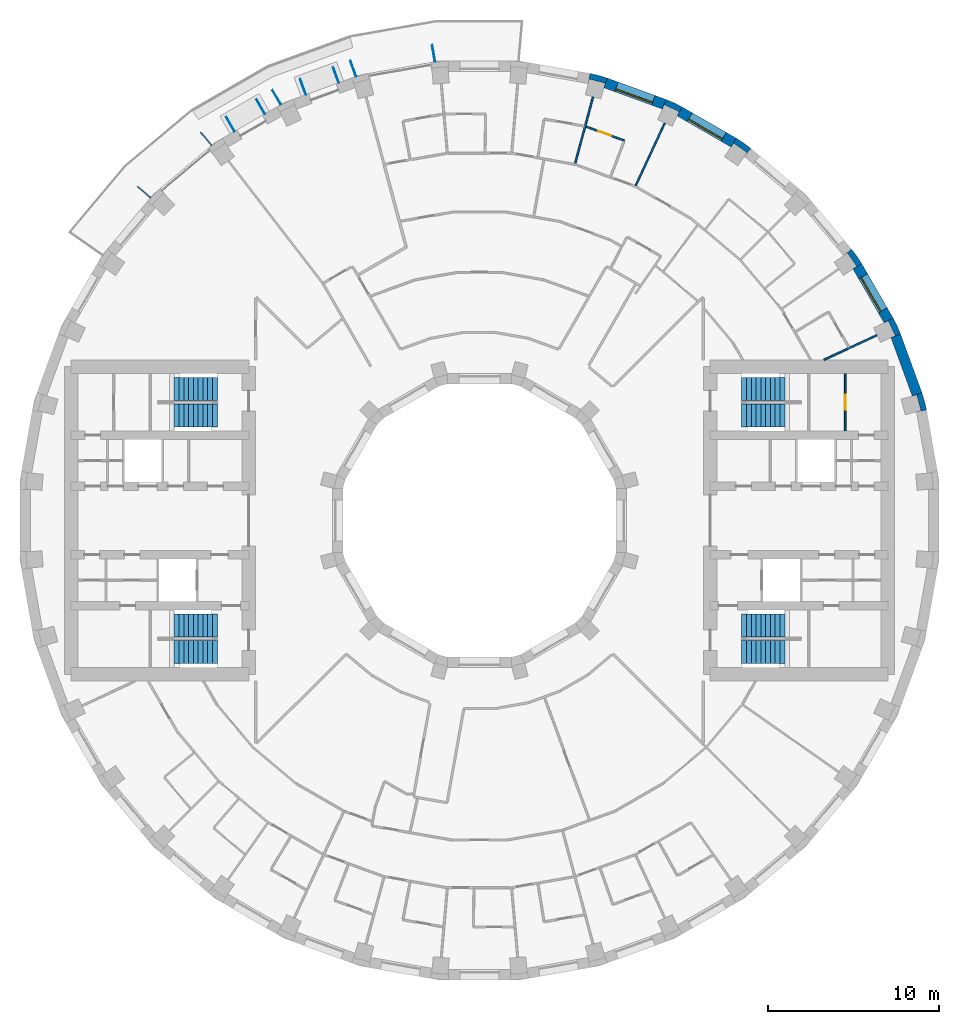
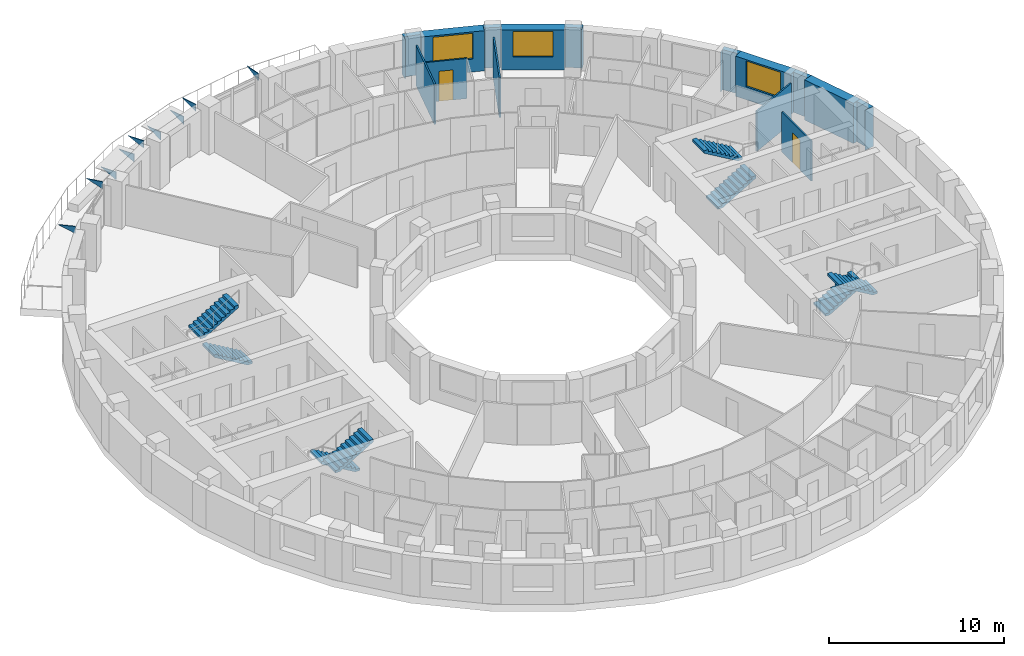
# One storey, part 13 of 14: 15 walls, 9 discrete accessories, 8 stair flights, 3 windows, 2 doors, 5 openings, 4 elements without a shape of their own.
"""IFC4 building model written with IfcOpenShell, lengths in metres."""

from ifc_helpers import new_model, si_unit, direction, frame, frame_2d, origin, place, context, subcontext, project, spatial, polyline, rectangle, outline, extrude, material, layer, layer_set, type_object, element, fill, aggregate, save


model = new_model("IFC4")

# Units and contexts
model_context = context("Model", 3, precision=1e-05, world=origin(), true_north=direction((0.0, 1.0)))
body_context = subcontext(model_context, "Body", "Model", "MODEL_VIEW")
ifc_project = project(units=[si_unit("LENGTHUNIT", "METRE"), si_unit("AREAUNIT", "SQUARE_METRE"), si_unit("VOLUMEUNIT", "CUBIC_METRE"), si_unit("PLANEANGLEUNIT", "RADIAN"), si_unit("MASSUNIT", "GRAM", prefix="KILO")], contexts=[model_context])

# Site, building, storey
site_placement = place(None, origin())
site = spatial("IfcSite", under=ifc_project, at=site_placement, CompositionType="ELEMENT")
building_placement = place(site_placement, origin())
building = spatial("IfcBuilding", under=site, at=building_placement, Name="Saqina Gate Tower", CompositionType="ELEMENT")
storey_placement = place(building_placement, frame((0.0, 0.0, 95.199951171875)))
storey = spatial("IfcBuildingStorey", under=building, at=storey_placement, Name="L26", CompositionType="ELEMENT", Elevation=95.199951171875)

# Walls
ifc_material_1 = material(Name="Brick masonry (buff)", Category="masonry")
wall_type_1 = type_object("IfcWallType", Name="BRICK PIER COPING BUFF", PredefinedType="SOLIDWALL", material=ifc_material_1)
wall_1_placement = place(storey_placement, origin())
element("IfcWall", 1, at=wall_1_placement, inside=storey, type_object=wall_type_1, Name="Pier cap L26 column 2", PredefinedType="SOLIDWALL", context=body_context, shape_type="SweptSolid", body=[
    extrude(outline(polyline([(26.171875, 6.466796875), (25.89892578125, 7.485595703125), (25.335205078125, 7.2802734375), (25.5947265625, 7.349853515625), (25.8408203125, 6.43212890625), (25.5810546875, 6.36279296875), (26.171875, 6.466796875)])), origin(), (0.0, 0.0, 1.0), 2.800048828125),
])
wall_2_placement = place(storey_placement, origin())
element("IfcWall", 2, at=wall_2_placement, inside=storey, type_object=wall_type_1, Name="Pier cap L26 column 3", PredefinedType="SOLIDWALL", context=body_context, shape_type="SweptSolid", body=[
    extrude(outline(polyline([(24.6513671875, 10.913330078125), (24.205810546875, 11.869140625), (23.68603515625, 11.569091796875), (23.9296875, 11.6826171875), (24.331298828125, 10.82177734375), (24.08740234375, 10.7080078125), (24.6513671875, 10.913330078125)])), origin(), (0.0, 0.0, 1.0), 2.800048828125),
])
wall_3_placement = place(storey_placement, origin())
element("IfcWall", 3, at=wall_3_placement, inside=storey, type_object=wall_type_1, Name="Pier cap L26 column 4", PredefinedType="SOLIDWALL", context=body_context, shape_type="SweptSolid", body=[
    extrude(outline(polyline([(21.77685546875, 15.89208984375), (21.317138671875, 15.50634765625), (21.53759765625, 15.66064453125), (22.08251953125, 14.88232421875), (21.862060546875, 14.728271484375), (22.3818359375, 15.0283203125), (21.77685546875, 15.89208984375)])), origin(), (0.0, 0.0, 1.0), 2.800048828125),
])
wall_4_placement = place(storey_placement, origin())
element("IfcWall", 4, at=wall_4_placement, inside=storey, type_object=wall_type_1, Name="Pier cap L26 column 6", PredefinedType="SOLIDWALL", context=body_context, shape_type="SweptSolid", body=[
    extrude(outline(polyline([(15.0283203125, 22.3818359375), (14.728271484375, 21.862060546875), (14.88232421875, 22.08251953125), (15.66064453125, 21.53759765625), (15.50634765625, 21.317138671875), (15.89208984375, 21.77685546875), (15.0283203125, 22.3818359375)])), origin(), (0.0, 0.0, 1.0), 2.800048828125),
])
wall_5_placement = place(storey_placement, origin())
element("IfcWall", 5, at=wall_5_placement, inside=storey, type_object=wall_type_1, Name="Pier cap L26 column 7", PredefinedType="SOLIDWALL", context=body_context, shape_type="SweptSolid", body=[
    extrude(outline(polyline([(10.913330078125, 24.6513671875), (10.7080078125, 24.08740234375), (10.82177734375, 24.331298828125), (11.6826171875, 23.9296875), (11.569091796875, 23.68603515625), (11.869140625, 24.205810546875), (10.913330078125, 24.6513671875)])), origin(), (0.0, 0.0, 1.0), 2.800048828125),
])
wall_6_placement = place(storey_placement, origin())
element("IfcWall", 6, at=wall_6_placement, inside=storey, type_object=wall_type_1, Name="Pier cap L26 column 8", PredefinedType="SOLIDWALL", context=body_context, shape_type="SweptSolid", body=[
    extrude(outline(polyline([(7.485595703125, 25.89892578125), (6.466796875, 26.171875), (6.36279296875, 25.5810546875), (6.43212890625, 25.8408203125), (7.349853515625, 25.5947265625), (7.2802734375, 25.335205078125), (7.485595703125, 25.89892578125)])), origin(), (0.0, 0.0, 1.0), 2.800048828125),
])

# Wall, opening, door
ifc_material_2 = material(Name="Gypsum board on steel studs", Category="steel")
ifc_layer_1 = layer(ifc_material_2, 0.10009765625)
ifc_layer_set_1 = layer_set([ifc_layer_1], Name="CORE PARTITION")
wall_type_2 = type_object("IfcWallType", Name="CORE PARTITION", PredefinedType="PARTITIONING", material=ifc_layer_set_1)
wall_7_placement = place(storey_placement, frame((21.409912109375, 5.25, 0.0), z_axis=(0.0, 0.0, 1.0), x_axis=(0.0, 1.0, 0.0)))
wall_7 = element("IfcWall", 7, at=wall_7_placement, inside=storey, type_object=wall_type_2, Name="L26-CP-E13", PredefinedType="PARTITIONING", context=body_context, shape_type="SweptSolid", body=[
    extrude(rectangle(XDim=3.35009765625, YDim=0.10009765625, at=frame_2d((1.675048828125, 0.0))), origin(), (0.0, 0.0, 1.0), 2.800048828125),
])
opening_1_placement = place(wall_7_placement, frame((1.22509765625, 0.0, 0.0)))
opening_1 = element("IfcOpeningElement", 8, at=opening_1_placement, cuts=wall_7, Name="Opening G07-D132", PredefinedType="OPENING", context=body_context, shape_type="SweptSolid", body=[
    extrude(rectangle(XDim=0.89990234375, YDim=2.10009765625, at=frame_2d((0.449951171875, 1.050048828125))), frame((0.0, 0.06201171875, 0.0), z_axis=(0.0, -1.0, 0.0), x_axis=(1.0, 0.0, 0.0)), (0.0, 0.0, 1.0), 0.1240234375),
])
ifc_material_3 = material(Name="Steel-framed fire door leaf, EI 60", Category="steel")
door_type_1 = type_object("IfcDoorType", Name="SERVICE ROOM DOOR 900", OperationType="SINGLE_SWING_LEFT", PredefinedType="DOOR", material=ifc_material_3)
door_1_placement = place(opening_1_placement, origin())
door_1 = element("IfcDoor", 9, at=door_1_placement, inside=storey, type_object=door_type_1, Name="L26-CD-E10", OperationType="SINGLE_SWING_RIGHT", OverallHeight=2.10009765625, OverallWidth=0.89990234375, PredefinedType="DOOR", context=body_context, shape_type="SweptSolid", body=[
    extrude(rectangle(XDim=0.89990234375, YDim=2.10009765625, at=frame_2d((0.449951171875, 1.050048828125))), frame((0.0, 0.02490234375, 0.0), z_axis=(0.0, -1.0, 0.0), x_axis=(1.0, 0.0, 0.0)), (0.0, 0.0, 1.0), 0.050048828125),
])
fill(opening_1, door_1)

# Wall, opening, window
ifc_material_4 = material(Name="Brick masonry (buff)", Category="masonry")
ifc_layer_2 = layer(ifc_material_4, 0.60009765625)
ifc_layer_set_2 = layer_set([ifc_layer_2], Name="FW-BRICK-BUFF")
wall_type_3 = type_object("IfcWallType", Name="FW-BRICK-BUFF", PredefinedType="SOLIDWALL", material=ifc_layer_set_2)
wall_8_placement = place(storey_placement, frame((23.94580078125, 11.718994140625, 0.0), z_axis=(0.0, 0.0, 1.0), x_axis=(-0.499954196102, 0.866051847062, 0.0)))
wall_8 = element("IfcWall", 10, at=wall_8_placement, inside=storey, type_object=wall_type_3, Name="Facade wall L26 facet 3", PredefinedType="SOLIDWALL", context=body_context, shape_type="SweptSolid", body=[
    extrude(rectangle(XDim=3.647705078125, YDim=0.60009765625, at=frame_2d((1.82373046875, 0.0))), origin(), (0.0, 0.0, 1.0), 2.800048828125),
])
opening_2_placement = place(wall_8_placement, frame((0.673828125, 0.0, 0.89990234375)))
opening_2 = element("IfcOpeningElement", 11, at=opening_2_placement, cuts=wall_8, Name="Opening G07-W01", PredefinedType="OPENING", context=body_context, shape_type="SweptSolid", body=[
    extrude(rectangle(XDim=2.300048828125, YDim=1.800048828125, at=frame_2d((1.14990234375, 0.89990234375))), frame((0.0, 0.31201171875, 0.0), z_axis=(0.0, -1.0, 0.0), x_axis=(1.0, 0.0, 0.0)), (0.0, 0.0, 1.0), 0.6240234375),
])
ifc_material_5 = material(Name="Aluminium glazing", Category="aluminium")
window_type = type_object("IfcWindowType", Name="WN-B", PartitioningType="SINGLE_PANEL", PredefinedType="WINDOW", material=ifc_material_5)
window_1_placement = place(opening_2_placement, origin())
window_1 = element("IfcWindow", 12, at=window_1_placement, inside=storey, type_object=window_type, Name="Window L26 facet 3", OverallHeight=1.800048828125, OverallWidth=2.300048828125, PartitioningType="SINGLE_PANEL", PredefinedType="WINDOW", context=body_context, shape_type="SweptSolid", body=[
    extrude(rectangle(XDim=2.300048828125, YDim=1.800048828125, at=frame_2d((1.14990234375, 0.89990234375))), frame((0.0, 0.179931640625, 0.0), z_axis=(0.0, -1.0, 0.0), x_axis=(1.0, 0.0, 0.0)), (0.0, 0.0, 1.0), 0.06005859375),
])
fill(opening_2, window_1)

wall_9_placement = place(storey_placement, frame((14.878173828125, 22.1220703125, 0.0), z_axis=(0.0, 0.0, 1.0), x_axis=(-0.866051847062, 0.499954196102, 0.0)))
wall_9 = element("IfcWall", 13, at=wall_9_placement, inside=storey, type_object=wall_type_3, Name="Facade wall L26 facet 6", PredefinedType="SOLIDWALL", context=body_context, shape_type="SweptSolid", body=[
    extrude(rectangle(XDim=3.647705078125, YDim=0.60009765625, at=frame_2d((1.82373046875, 0.0))), origin(), (0.0, 0.0, 1.0), 2.800048828125),
])
opening_3_placement = place(wall_9_placement, frame((0.673828125, 0.0, 0.89990234375)))
opening_3 = element("IfcOpeningElement", 14, at=opening_3_placement, cuts=wall_9, Name="Opening G07-W04", PredefinedType="OPENING", context=body_context, shape_type="SweptSolid", body=[
    extrude(rectangle(XDim=2.300048828125, YDim=1.800048828125, at=frame_2d((1.14990234375, 0.89990234375))), frame((0.0, 0.31201171875, 0.0), z_axis=(0.0, -1.0, 0.0), x_axis=(1.0, 0.0, 0.0)), (0.0, 0.0, 1.0), 0.6240234375),
])
window_2_placement = place(opening_3_placement, origin())
window_2 = element("IfcWindow", 15, at=window_2_placement, inside=storey, type_object=window_type, Name="Window L26 facet 6", OverallHeight=1.800048828125, OverallWidth=2.300048828125, PartitioningType="SINGLE_PANEL", PredefinedType="WINDOW", context=body_context, shape_type="SweptSolid", body=[
    extrude(rectangle(XDim=2.300048828125, YDim=1.800048828125, at=frame_2d((1.14990234375, 0.89990234375))), frame((0.0, 0.179931640625, 0.0), z_axis=(0.0, -1.0, 0.0), x_axis=(1.0, 0.0, 0.0)), (0.0, 0.0, 1.0), 0.06005859375),
])
fill(opening_3, window_2)

wall_10_placement = place(storey_placement, frame((10.810791015625, 24.369384765625, 0.0), z_axis=(0.0, 0.0, 1.0), x_axis=(-0.939703505393, 0.341990236633, 0.0)))
wall_10 = element("IfcWall", 16, at=wall_10_placement, inside=storey, type_object=wall_type_3, Name="Facade wall L26 facet 7", PredefinedType="SOLIDWALL", context=body_context, shape_type="SweptSolid", body=[
    extrude(rectangle(XDim=3.64794921875, YDim=0.60009765625, at=frame_2d((1.823974609375, 0.0))), origin(), (0.0, 0.0, 1.0), 2.800048828125),
])
opening_4_placement = place(wall_10_placement, frame((0.673828125, 0.0, 0.89990234375)))
opening_4 = element("IfcOpeningElement", 17, at=opening_4_placement, cuts=wall_10, Name="Opening G07-W05", PredefinedType="OPENING", context=body_context, shape_type="SweptSolid", body=[
    extrude(rectangle(XDim=2.300048828125, YDim=1.800048828125, at=frame_2d((1.14990234375, 0.89990234375))), frame((0.0, 0.31201171875, 0.0), z_axis=(0.0, -1.0, 0.0), x_axis=(1.0, 0.0, 0.0)), (0.0, 0.0, 1.0), 0.6240234375),
])
window_3_placement = place(opening_4_placement, origin())
window_3 = element("IfcWindow", 18, at=window_3_placement, inside=storey, type_object=window_type, Name="Window L26 facet 7", OverallHeight=1.800048828125, OverallWidth=2.300048828125, PartitioningType="SINGLE_PANEL", PredefinedType="WINDOW", context=body_context, shape_type="SweptSolid", body=[
    extrude(rectangle(XDim=2.300048828125, YDim=1.800048828125, at=frame_2d((1.14990234375, 0.89990234375))), frame((0.0, 0.179931640625, 0.0), z_axis=(0.0, -1.0, 0.0), x_axis=(1.0, 0.0, 0.0)), (0.0, 0.0, 1.0), 0.06005859375),
])
fill(opening_4, window_3)

# Wall
ifc_material_6 = material(Name="Glazed ceramic tile (white)", Category="ceramic")
ifc_layer_3 = layer(ifc_material_6, 0.60009765625)
ifc_layer_set_3 = layer_set([ifc_layer_3], Name="FW-TILE-WH")
wall_type_4 = type_object("IfcWallType", Name="FW-TILE-WH", PredefinedType="SOLIDWALL", material=ifc_layer_set_3)
wall_11_placement = place(storey_placement, frame((25.616943359375, 7.3828125, 0.0), z_axis=(0.0, 0.0, 1.0), x_axis=(-0.341990236633, 0.939703505393, 0.0)))
element("IfcWall", 19, at=wall_11_placement, inside=storey, type_object=wall_type_4, Name="Facade wall L26 facet 2", PredefinedType="SOLIDWALL", context=body_context, shape_type="SweptSolid", body=[
    extrude(rectangle(XDim=3.64794921875, YDim=0.60009765625, at=frame_2d((1.823974609375, 0.0))), origin(), (0.0, 0.0, 1.0), 2.800048828125),
])

# Wall, opening, door
ifc_material_7 = material(Name="Gypsum board on steel studs, 100 mm", Category="steel")
ifc_layer_4 = layer(ifc_material_7, 0.10009765625)
ifc_layer_set_4 = layer_set([ifc_layer_4], Name="PARTITION 100")
wall_type_5 = type_object("IfcWallType", Name="PARTITION 100", PredefinedType="PARTITIONING", material=ifc_layer_set_4)
wall_12_placement = place(storey_placement, frame((6.22998046875, 23.056884765625, 0.0), z_axis=(0.0, 0.0, 1.0), x_axis=(0.939644231496, -0.342153062556, 0.0)))
wall_12 = element("IfcWall", 20, at=wall_12_placement, inside=storey, type_object=wall_type_5, Name="PARTITION PW3-42", PredefinedType="PARTITIONING", context=body_context, shape_type="SweptSolid", body=[
    extrude(rectangle(XDim=2.390380859375, YDim=0.10009765625, at=frame_2d((1.1953125, 0.0))), origin(), (0.0, 0.0, 1.0), 2.800048828125),
])
opening_5_placement = place(wall_12_placement, frame((0.770263671875, 0.0, 0.0)))
opening_5 = element("IfcOpeningElement", 21, at=opening_5_placement, cuts=wall_12, Name="Opening G07-D12", PredefinedType="OPENING", context=body_context, shape_type="SweptSolid", body=[
    extrude(rectangle(XDim=0.800048828125, YDim=2.10009765625, at=frame_2d((0.39990234375, 1.050048828125))), frame((0.0, 0.06201171875, 0.0), z_axis=(0.0, -1.0, 0.0), x_axis=(1.0, 0.0, 0.0)), (0.0, 0.0, 1.0), 0.1240234375),
])
ifc_material_8 = material(Name="Timber door leaf, 800 mm", Category="wood")
door_type_2 = type_object("IfcDoorType", Name="DOOR 800 TIMBER", OperationType="SINGLE_SWING_LEFT", PredefinedType="DOOR", material=ifc_material_8)
door_2_placement = place(opening_5_placement, origin())
door_2 = element("IfcDoor", 22, at=door_2_placement, inside=storey, type_object=door_type_2, Name="DOOR G07-D12", OperationType="SINGLE_SWING_LEFT", OverallHeight=2.10009765625, OverallWidth=0.800048828125, PredefinedType="DOOR", context=body_context, shape_type="SweptSolid", body=[
    extrude(rectangle(XDim=0.800048828125, YDim=2.10009765625, at=frame_2d((0.39990234375, 1.050048828125))), frame((0.0, 0.02490234375, 0.0), z_axis=(0.0, -1.0, 0.0), x_axis=(1.0, 0.0, 0.0)), (0.0, 0.0, 1.0), 0.050048828125),
])
fill(opening_5, door_2)

# Walls
wall_13_placement = place(storey_placement, frame((20.157958984375, 9.39990234375, 0.0), z_axis=(0.0, 0.0, 1.0), x_axis=(0.906223222272, 0.422799564114, 0.0)))
element("IfcWall", 23, at=wall_13_placement, inside=storey, type_object=wall_type_5, Name="PARTITION PW3-69", PredefinedType="PARTITIONING", context=body_context, shape_type="SweptSolid", body=[
    extrude(rectangle(XDim=3.423095703125, YDim=0.10009765625, at=frame_2d((1.71142578125, 0.0))), origin(), (0.0, 0.0, 1.0), 2.800048828125),
])
wall_14_placement = place(storey_placement, frame((9.146484375, 19.61474609375, 0.0), z_axis=(0.0, 0.0, 1.0), x_axis=(0.422622950513, 0.906305600612, 0.0)))
element("IfcWall", 24, at=wall_14_placement, inside=storey, type_object=wall_type_5, Name="PARTITION PW3-91", PredefinedType="PARTITIONING", context=body_context, shape_type="SweptSolid", body=[
    extrude(rectangle(XDim=4.0224609375, YDim=0.10009765625, at=frame_2d((2.01123046875, 0.0))), origin(), (0.0, 0.0, 1.0), 2.800048828125),
])
wall_15_placement = place(storey_placement, frame((5.598876953125, 20.89208984375, 0.0), z_axis=(0.0, 0.0, 1.0), x_axis=(0.258615129659, 0.965980442199, 0.0)))
element("IfcWall", 25, at=wall_15_placement, inside=storey, type_object=wall_type_5, Name="PARTITION PW3-96", PredefinedType="PARTITIONING", context=body_context, shape_type="SweptSolid", body=[
    extrude(rectangle(XDim=4.03564453125, YDim=0.10009765625, at=frame_2d((2.017822265625, 0.0))), origin(), (0.0, 0.0, 1.0), 2.800048828125),
])

# Stair, stair flights
ifc_material_9 = material(Name="Concrete C40/50", Category="concrete")
stair_type = type_object("IfcStairType", Name="EXIT STAIR", PredefinedType="HALF_TURN_STAIR", material=ifc_material_9)
stair_1_placement = place(storey_placement, origin())
stair_1 = element("IfcStair", 26, at=stair_1_placement, inside=storey, type_object=stair_type, Name="EXIT STAIR 1", PredefinedType="HALF_TURN_STAIR")
ifc_material_10 = material(Name="Concrete C40/50", Category="concrete")
stair_flight_type = type_object("IfcStairFlightType", Name="EXIT STAIR FLIGHT", PredefinedType="STRAIGHT", material=ifc_material_10)
stair_flight_1_placement = place(storey_placement, frame((15.35009765625, 6.1416015625, 0.0), z_axis=(0.0, 0.0, 1.0), x_axis=(1.0, 0.0, 0.0)))
stair_flight_1 = element("IfcStairFlight", 27, at=stair_flight_1_placement, type_object=stair_flight_type, Name="EXIT STAIR 1 FLIGHT 1", NumberOfRisers=10, NumberOfTreads=9, PredefinedType="STRAIGHT", RiserHeight=0.165, TreadLength=0.28, context=body_context, shape_type="SweptSolid", body=[
    extrude(outline(polyline([(0.0, 0.0), (0.0, 0.1650390625), (0.280029296875, 0.1650390625), (0.280029296875, 0.330078125), (0.56005859375, 0.330078125), (0.56005859375, 0.4951171875), (0.840087890625, 0.4951171875), (0.840087890625, 0.659912109375), (1.1201171875, 0.659912109375), (1.1201171875, 0.824951171875), (1.39990234375, 0.824951171875), (1.39990234375, 0.989990234375), (1.679931640625, 0.989990234375), (1.679931640625, 1.155029296875), (1.9599609375, 1.155029296875), (1.9599609375, 1.320068359375), (2.239990234375, 1.320068359375), (2.239990234375, 1.485107421875), (2.52001953125, 1.485107421875), (2.52001953125, 1.64990234375), (2.52001953125, 1.31103515625), (0.295166015625, 0.0), (0.0, 0.0)])), frame((0.0, 0.675048828125, 0.0), z_axis=(0.0, -1.0, 0.0), x_axis=(1.0, 0.0, 0.0)), (0.0, 0.0, 1.0), 1.35009765625),
])
stair_flight_2_placement = place(storey_placement, frame((17.8701171875, 7.708251953125, 1.650146484375), z_axis=(0.0, 0.0, 1.0), x_axis=(-1.0, 0.0, 0.0)))
stair_flight_2 = element("IfcStairFlight", 28, at=stair_flight_2_placement, type_object=stair_flight_type, Name="EXIT STAIR 1 FLIGHT 2", NumberOfRisers=10, NumberOfTreads=9, PredefinedType="STRAIGHT", RiserHeight=0.165, TreadLength=0.28, context=body_context, shape_type="SweptSolid", body=[
    extrude(outline(polyline([(0.0, 0.0), (0.0, 0.1650390625), (0.280029296875, 0.1650390625), (0.280029296875, 0.330078125), (0.56005859375, 0.330078125), (0.56005859375, 0.4951171875), (0.840087890625, 0.4951171875), (0.840087890625, 0.659912109375), (1.1201171875, 0.659912109375), (1.1201171875, 0.824951171875), (1.39990234375, 0.824951171875), (1.39990234375, 0.989990234375), (1.679931640625, 0.989990234375), (1.679931640625, 1.155029296875), (1.9599609375, 1.155029296875), (1.9599609375, 1.320068359375), (2.239990234375, 1.320068359375), (2.239990234375, 1.485107421875), (2.52001953125, 1.485107421875), (2.52001953125, 1.64990234375), (2.52001953125, 1.31103515625), (0.295166015625, 0.0), (0.0, 0.0)])), frame((0.0, 0.675048828125, 0.0), z_axis=(0.0, -1.0, 0.0), x_axis=(1.0, 0.0, 0.0)), (0.0, 0.0, 1.0), 1.35009765625),
])
aggregate(stair_1, [stair_flight_1, stair_flight_2])

stair_2_placement = place(storey_placement, origin())
stair_2 = element("IfcStair", 29, at=stair_2_placement, inside=storey, type_object=stair_type, Name="EXIT STAIR 2", PredefinedType="HALF_TURN_STAIR")
stair_flight_3_placement = place(storey_placement, frame((15.35009765625, -6.1416015625, 0.0), z_axis=(0.0, 0.0, 1.0), x_axis=(1.0, 0.0, 0.0)))
stair_flight_3 = element("IfcStairFlight", 30, at=stair_flight_3_placement, type_object=stair_flight_type, Name="EXIT STAIR 2 FLIGHT 1", NumberOfRisers=10, NumberOfTreads=9, PredefinedType="STRAIGHT", RiserHeight=0.165, TreadLength=0.28, context=body_context, shape_type="SweptSolid", body=[
    extrude(outline(polyline([(0.0, 0.0), (0.0, 0.1650390625), (0.280029296875, 0.1650390625), (0.280029296875, 0.330078125), (0.56005859375, 0.330078125), (0.56005859375, 0.4951171875), (0.840087890625, 0.4951171875), (0.840087890625, 0.659912109375), (1.1201171875, 0.659912109375), (1.1201171875, 0.824951171875), (1.39990234375, 0.824951171875), (1.39990234375, 0.989990234375), (1.679931640625, 0.989990234375), (1.679931640625, 1.155029296875), (1.9599609375, 1.155029296875), (1.9599609375, 1.320068359375), (2.239990234375, 1.320068359375), (2.239990234375, 1.485107421875), (2.52001953125, 1.485107421875), (2.52001953125, 1.64990234375), (2.52001953125, 1.31103515625), (0.295166015625, 0.0), (0.0, 0.0)])), frame((0.0, 0.675048828125, 0.0), z_axis=(0.0, -1.0, 0.0), x_axis=(1.0, 0.0, 0.0)), (0.0, 0.0, 1.0), 1.35009765625),
])
stair_flight_4_placement = place(storey_placement, frame((17.8701171875, -7.708251953125, 1.650146484375), z_axis=(0.0, 0.0, 1.0), x_axis=(-1.0, 0.0, 0.0)))
stair_flight_4 = element("IfcStairFlight", 31, at=stair_flight_4_placement, type_object=stair_flight_type, Name="EXIT STAIR 2 FLIGHT 2", NumberOfRisers=10, NumberOfTreads=9, PredefinedType="STRAIGHT", RiserHeight=0.165, TreadLength=0.28, context=body_context, shape_type="SweptSolid", body=[
    extrude(outline(polyline([(0.0, 0.0), (0.0, 0.1650390625), (0.280029296875, 0.1650390625), (0.280029296875, 0.330078125), (0.56005859375, 0.330078125), (0.56005859375, 0.4951171875), (0.840087890625, 0.4951171875), (0.840087890625, 0.659912109375), (1.1201171875, 0.659912109375), (1.1201171875, 0.824951171875), (1.39990234375, 0.824951171875), (1.39990234375, 0.989990234375), (1.679931640625, 0.989990234375), (1.679931640625, 1.155029296875), (1.9599609375, 1.155029296875), (1.9599609375, 1.320068359375), (2.239990234375, 1.320068359375), (2.239990234375, 1.485107421875), (2.52001953125, 1.485107421875), (2.52001953125, 1.64990234375), (2.52001953125, 1.31103515625), (0.295166015625, 0.0), (0.0, 0.0)])), frame((0.0, 0.675048828125, 0.0), z_axis=(0.0, -1.0, 0.0), x_axis=(1.0, 0.0, 0.0)), (0.0, 0.0, 1.0), 1.35009765625),
])
aggregate(stair_2, [stair_flight_3, stair_flight_4])

stair_3_placement = place(storey_placement, origin())
stair_3 = element("IfcStair", 32, at=stair_3_placement, inside=storey, type_object=stair_type, Name="EXIT STAIR 3", PredefinedType="HALF_TURN_STAIR")
stair_flight_5_placement = place(storey_placement, frame((-15.35009765625, 6.1416015625, 0.0), z_axis=(0.0, 0.0, 1.0), x_axis=(-1.0, 0.0, 0.0)))
stair_flight_5 = element("IfcStairFlight", 33, at=stair_flight_5_placement, type_object=stair_flight_type, Name="EXIT STAIR 3 FLIGHT 1", NumberOfRisers=10, NumberOfTreads=9, PredefinedType="STRAIGHT", RiserHeight=0.165, TreadLength=0.28, context=body_context, shape_type="SweptSolid", body=[
    extrude(outline(polyline([(0.0, 0.0), (0.0, 0.1650390625), (0.280029296875, 0.1650390625), (0.280029296875, 0.330078125), (0.56005859375, 0.330078125), (0.56005859375, 0.4951171875), (0.840087890625, 0.4951171875), (0.840087890625, 0.659912109375), (1.1201171875, 0.659912109375), (1.1201171875, 0.824951171875), (1.39990234375, 0.824951171875), (1.39990234375, 0.989990234375), (1.679931640625, 0.989990234375), (1.679931640625, 1.155029296875), (1.9599609375, 1.155029296875), (1.9599609375, 1.320068359375), (2.239990234375, 1.320068359375), (2.239990234375, 1.485107421875), (2.52001953125, 1.485107421875), (2.52001953125, 1.64990234375), (2.52001953125, 1.31103515625), (0.295166015625, 0.0), (0.0, 0.0)])), frame((0.0, 0.675048828125, 0.0), z_axis=(0.0, -1.0, 0.0), x_axis=(1.0, 0.0, 0.0)), (0.0, 0.0, 1.0), 1.35009765625),
])
stair_flight_6_placement = place(storey_placement, frame((-17.8701171875, 7.708251953125, 1.650146484375), z_axis=(0.0, 0.0, 1.0), x_axis=(1.0, 0.0, 0.0)))
stair_flight_6 = element("IfcStairFlight", 34, at=stair_flight_6_placement, type_object=stair_flight_type, Name="EXIT STAIR 3 FLIGHT 2", NumberOfRisers=10, NumberOfTreads=9, PredefinedType="STRAIGHT", RiserHeight=0.165, TreadLength=0.28, context=body_context, shape_type="SweptSolid", body=[
    extrude(outline(polyline([(0.0, 0.0), (0.0, 0.1650390625), (0.280029296875, 0.1650390625), (0.280029296875, 0.330078125), (0.56005859375, 0.330078125), (0.56005859375, 0.4951171875), (0.840087890625, 0.4951171875), (0.840087890625, 0.659912109375), (1.1201171875, 0.659912109375), (1.1201171875, 0.824951171875), (1.39990234375, 0.824951171875), (1.39990234375, 0.989990234375), (1.679931640625, 0.989990234375), (1.679931640625, 1.155029296875), (1.9599609375, 1.155029296875), (1.9599609375, 1.320068359375), (2.239990234375, 1.320068359375), (2.239990234375, 1.485107421875), (2.52001953125, 1.485107421875), (2.52001953125, 1.64990234375), (2.52001953125, 1.31103515625), (0.295166015625, 0.0), (0.0, 0.0)])), frame((0.0, 0.675048828125, 0.0), z_axis=(0.0, -1.0, 0.0), x_axis=(1.0, 0.0, 0.0)), (0.0, 0.0, 1.0), 1.35009765625),
])
aggregate(stair_3, [stair_flight_5, stair_flight_6])

stair_4_placement = place(storey_placement, origin())
stair_4 = element("IfcStair", 35, at=stair_4_placement, inside=storey, type_object=stair_type, Name="EXIT STAIR 4", PredefinedType="HALF_TURN_STAIR")
stair_flight_7_placement = place(storey_placement, frame((-15.35009765625, -6.1416015625, 0.0), z_axis=(0.0, 0.0, 1.0), x_axis=(-1.0, 0.0, 0.0)))
stair_flight_7 = element("IfcStairFlight", 36, at=stair_flight_7_placement, type_object=stair_flight_type, Name="EXIT STAIR 4 FLIGHT 1", NumberOfRisers=10, NumberOfTreads=9, PredefinedType="STRAIGHT", RiserHeight=0.165, TreadLength=0.28, context=body_context, shape_type="SweptSolid", body=[
    extrude(outline(polyline([(0.0, 0.0), (0.0, 0.1650390625), (0.280029296875, 0.1650390625), (0.280029296875, 0.330078125), (0.56005859375, 0.330078125), (0.56005859375, 0.4951171875), (0.840087890625, 0.4951171875), (0.840087890625, 0.659912109375), (1.1201171875, 0.659912109375), (1.1201171875, 0.824951171875), (1.39990234375, 0.824951171875), (1.39990234375, 0.989990234375), (1.679931640625, 0.989990234375), (1.679931640625, 1.155029296875), (1.9599609375, 1.155029296875), (1.9599609375, 1.320068359375), (2.239990234375, 1.320068359375), (2.239990234375, 1.485107421875), (2.52001953125, 1.485107421875), (2.52001953125, 1.64990234375), (2.52001953125, 1.31103515625), (0.295166015625, 0.0), (0.0, 0.0)])), frame((0.0, 0.675048828125, 0.0), z_axis=(0.0, -1.0, 0.0), x_axis=(1.0, 0.0, 0.0)), (0.0, 0.0, 1.0), 1.35009765625),
])
stair_flight_8_placement = place(storey_placement, frame((-17.8701171875, -7.708251953125, 1.650146484375), z_axis=(0.0, 0.0, 1.0), x_axis=(1.0, 0.0, 0.0)))
stair_flight_8 = element("IfcStairFlight", 37, at=stair_flight_8_placement, type_object=stair_flight_type, Name="EXIT STAIR 4 FLIGHT 2", NumberOfRisers=10, NumberOfTreads=9, PredefinedType="STRAIGHT", RiserHeight=0.165, TreadLength=0.28, context=body_context, shape_type="SweptSolid", body=[
    extrude(outline(polyline([(0.0, 0.0), (0.0, 0.1650390625), (0.280029296875, 0.1650390625), (0.280029296875, 0.330078125), (0.56005859375, 0.330078125), (0.56005859375, 0.4951171875), (0.840087890625, 0.4951171875), (0.840087890625, 0.659912109375), (1.1201171875, 0.659912109375), (1.1201171875, 0.824951171875), (1.39990234375, 0.824951171875), (1.39990234375, 0.989990234375), (1.679931640625, 0.989990234375), (1.679931640625, 1.155029296875), (1.9599609375, 1.155029296875), (1.9599609375, 1.320068359375), (2.239990234375, 1.320068359375), (2.239990234375, 1.485107421875), (2.52001953125, 1.485107421875), (2.52001953125, 1.64990234375), (2.52001953125, 1.31103515625), (0.295166015625, 0.0), (0.0, 0.0)])), frame((0.0, 0.675048828125, 0.0), z_axis=(0.0, -1.0, 0.0), x_axis=(1.0, 0.0, 0.0)), (0.0, 0.0, 1.0), 1.35009765625),
])
aggregate(stair_4, [stair_flight_7, stair_flight_8])

# Discrete accessories
ifc_material_11 = material(Name="Galvanised steel", Category="steel")
ifc_layer_5 = layer(ifc_material_11, 0.050048828125)
ifc_layer_set_5 = layer_set([ifc_layer_5], Name="BR-AWNING")
discrete_accessory_type_1 = type_object("IfcDiscreteAccessoryType", Name="BR-AWNING", PredefinedType="BRACKET", material=ifc_layer_set_5)
for number, where, z_axis, x_axis, name in (
    (38, (-8.2607421875, 25.61669921875, 1.97509765625), (-0.939686455819, -0.342037080957, 0.0), (0.0, 0.0, 1.0), "Awning bracket L26 facet 11"),
    (39, (-10.18505859375, 24.91650390625, 1.97509765625), (-0.939686455819, -0.342037080957, 0.0), (0.0, 0.0, 1.0), "Awning bracket L26 facet 11"),
):
    element("IfcDiscreteAccessory", number, at=place(storey_placement, frame(where, z_axis=z_axis, x_axis=x_axis)), inside=storey, type_object=discrete_accessory_type_1, Name=name, PredefinedType="BRACKET", context=body_context, shape_type="SweptSolid", body=[
        extrude(outline(polyline([(0.0, 0.0), (0.550048828125, 0.0), (0.550048828125, 1.000011503630275), (0.0, 0.0)])), origin(), (0.0, 0.0, -1.0), 0.050048828125),
    ])
for number, where, z_axis, x_axis, name in (
    (40, (-12.58349609375, 23.793212890625, 1.97509765625), (-0.866010750942, -0.50002537861, 0.0), (0.0, 0.0, 1.0), "Awning bracket L26 facet 12"),
    (41, (-14.35693359375, 22.769287109375, 1.97509765625), (-0.866010750942, -0.50002537861, 0.0), (0.0, 0.0, 1.0), "Awning bracket L26 facet 12"),
):
    element("IfcDiscreteAccessory", number, at=place(storey_placement, frame(where, z_axis=z_axis, x_axis=x_axis)), inside=storey, type_object=discrete_accessory_type_1, Name=name, PredefinedType="BRACKET", context=body_context, shape_type="SweptSolid", body=[
        extrude(outline(polyline([(0.0, 0.0), (0.550048828125, 0.0), (0.550048828125, 0.9999492453569568), (0.0, 0.0)])), origin(), (0.0, 0.0, -1.0), 0.050048828125),
    ])
ifc_material_12 = material(Name="Galvanised steel", Category="steel")
ifc_layer_6 = layer(ifc_material_12, 0.050048828125)
ifc_layer_set_6 = layer_set([ifc_layer_6], Name="BR-GUSSET")
discrete_accessory_type_2 = type_object("IfcDiscreteAccessoryType", Name="BR-GUSSET", PredefinedType="BRACKET", material=ifc_layer_set_6)
discrete_accessory_1_placement = place(storey_placement, frame((-2.6240234375, 26.849609375, 2.300048828125), z_axis=(-0.984813043937, -0.173618168668, 0.0), x_axis=(0.0, 0.0, 1.0)))
element("IfcDiscreteAccessory", 42, at=discrete_accessory_1_placement, inside=storey, type_object=discrete_accessory_type_2, Name="Terrace slab bracket L27 1", PredefinedType="BRACKET", context=body_context, shape_type="SweptSolid", body=[
    extrude(outline(polyline([(0.0, 0.0), (0.5, 0.0), (0.5, 0.9998031064747768), (0.0, 0.0)])), origin(), (0.0, 0.0, -1.0), 0.050048828125),
])
discrete_accessory_2_placement = place(storey_placement, frame((-7.24658203125, 25.98583984375, 2.300048828125), z_axis=(-0.939764905391, -0.341821477669, 0.0), x_axis=(0.0, 0.0, 1.0)))
element("IfcDiscreteAccessory", 43, at=discrete_accessory_2_placement, inside=storey, type_object=discrete_accessory_type_2, Name="Terrace slab bracket L27 2", PredefinedType="BRACKET", context=body_context, shape_type="SweptSolid", body=[
    extrude(outline(polyline([(0.0, 0.0), (0.5, 0.0), (0.5, 0.999928024801219), (0.0, 0.0)])), origin(), (0.0, 0.0, -1.0), 0.050048828125),
])
discrete_accessory_3_placement = place(storey_placement, frame((-11.648681640625, 24.332763671875, 2.300048828125), z_axis=(-0.866010750942, -0.50002537861, 0.0), x_axis=(0.0, 0.0, 1.0)))
element("IfcDiscreteAccessory", 44, at=discrete_accessory_3_placement, inside=storey, type_object=discrete_accessory_type_2, Name="Terrace slab bracket L27 3", PredefinedType="BRACKET", context=body_context, shape_type="SweptSolid", body=[
    extrude(outline(polyline([(0.0, 0.0), (0.5, 0.0), (0.5, 0.9999492453569568), (0.0, 0.0)])), origin(), (0.0, 0.0, -1.0), 0.050048828125),
])
for number, where, z_axis, x_axis, name in (
    (45, (-15.697265625, 21.940185546875, 2.300048828125), (-0.766055819685, -0.64277405138, 0.0), (0.0, 0.0, 1.0), "Terrace slab bracket L27 4"),
    (46, (-19.2685546875, 18.881103515625, 2.300048828125), (-0.64277405138, -0.766055819685, 0.0), (0.0, 0.0, 1.0), "Terrace slab bracket L27 5"),
):
    element("IfcDiscreteAccessory", number, at=place(storey_placement, frame(where, z_axis=z_axis, x_axis=x_axis)), inside=storey, type_object=discrete_accessory_type_2, Name=name, PredefinedType="BRACKET", context=body_context, shape_type="SweptSolid", body=[
        extrude(outline(polyline([(0.0, 0.0), (0.5, 0.0), (0.5, 1.0000750096322275), (0.0, 0.0)])), origin(), (0.0, 0.0, -1.0), 0.050048828125),
    ])

save(model, "model.ifc")
